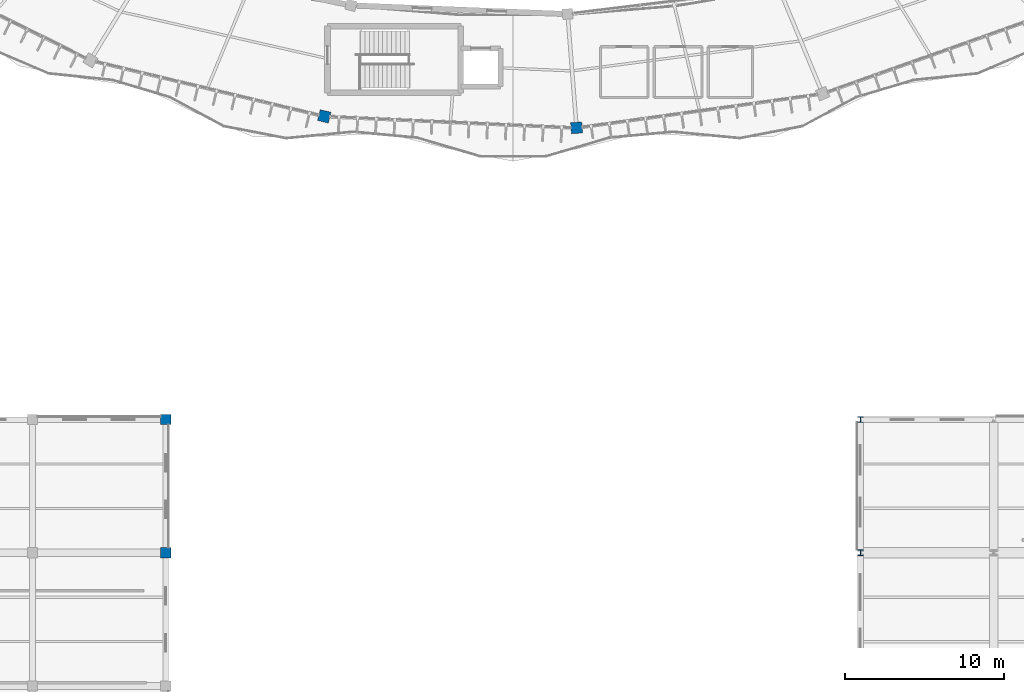
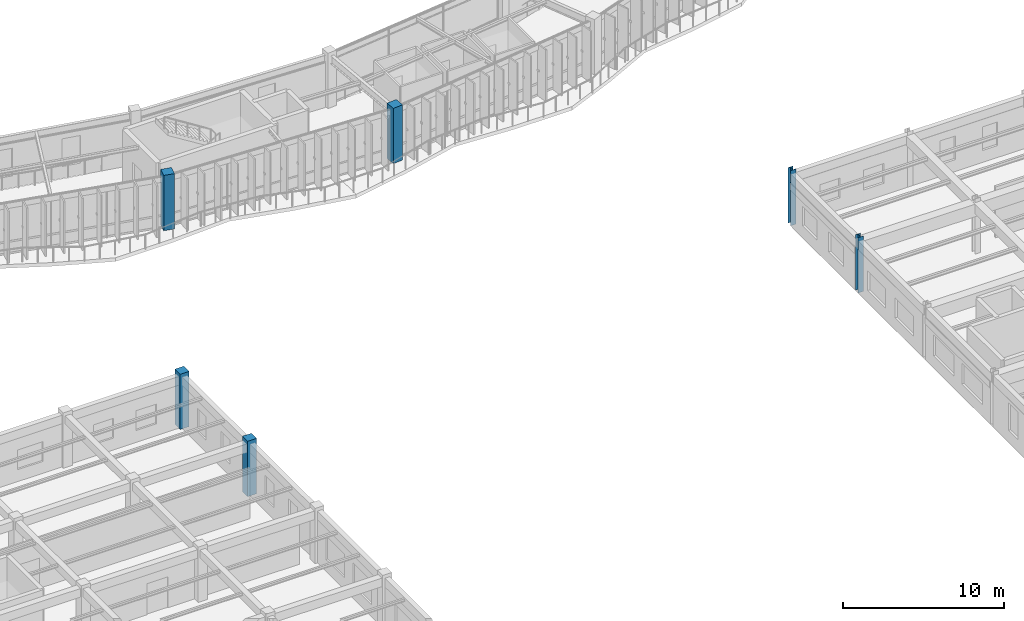
# One storey, part 3 of 138: 6 columns.
"""IFC4 building model written with IfcOpenShell, lengths in metres."""

from ifc_helpers import new_model, si_unit, direction, frame, origin, origin_2d, place, context, subcontext, project, spatial, rectangle, i_section, extrude, material, material_profile, profile_set, type_object, element, save


model = new_model("IFC4")

# Units and contexts
model_context = context("Model", 3, precision=1e-05, world=origin(), true_north=direction((0.0, 1.0)))
body_context = subcontext(model_context, "Body", "Model", "MODEL_VIEW")
ifc_project = project(units=[si_unit("LENGTHUNIT", "METRE"), si_unit("AREAUNIT", "SQUARE_METRE"), si_unit("VOLUMEUNIT", "CUBIC_METRE"), si_unit("PLANEANGLEUNIT", "RADIAN"), si_unit("MASSUNIT", "GRAM", prefix="KILO"), si_unit("THERMODYNAMICTEMPERATUREUNIT", "KELVIN"), si_unit("POWERUNIT", "WATT")], contexts=[model_context])

# Site, building, storey
site_placement = place(None, origin())
site = spatial("IfcSite", under=ifc_project, at=site_placement, CompositionType="ELEMENT")
building_placement = place(site_placement, origin())
building = spatial("IfcBuilding", under=site, at=building_placement, Name="Darbajah Civic Hall", CompositionType="ELEMENT")
storey_placement = place(building_placement, frame((0.0, 0.0, 9.60009765625)))
storey = spatial("IfcBuildingStorey", under=building, at=storey_placement, Name="L02", CompositionType="ELEMENT", Elevation=9.60009765625)

# Columns
ifc_material_1 = material(Name="Concrete C45/55", Category="concrete")
ifc_material_profile_1 = material_profile(ifc_material_1, rectangle(XDim=0.64990234375, YDim=0.64990234375, at=origin_2d()), Name="RC COL 650x650")
ifc_profile_set_1 = profile_set([ifc_material_profile_1], Name="Concrete C45/55")
column_type_1 = type_object("IfcColumnType", Name="RC COL 650x650", PredefinedType="COLUMN", material=ifc_profile_set_1)
for number, where, z_axis, x_axis, name in (
    (1, (67.199951171875, 33.60009765625, 0.0), (0.0, 0.0, 1.0), (1.0, 0.0, 0.0), "L02 column C-RC650"),
    (2, (67.199951171875, 42.0, 0.0), (0.0, 0.0, 1.0), (1.0, 0.0, 0.0), "L02 column C-RC650"),
):
    element("IfcColumn", number, at=place(storey_placement, frame(where, z_axis=z_axis, x_axis=x_axis)), inside=storey, type_object=column_type_1, Name=name, PredefinedType="COLUMN", context=body_context, shape_type="SweptSolid", body=[
        extrude(rectangle(XDim=0.64990234375, YDim=0.64990234375, at=origin_2d()), origin(), (0.0, 0.0, 1.0), 4.199951171875),
    ])
ifc_material_profile_2 = material_profile(ifc_material_1, rectangle(XDim=0.699951171875, YDim=0.699951171875, at=origin_2d()), Name="RC COL 700x700")
ifc_profile_set_2 = profile_set([ifc_material_profile_2], Name="Concrete C45/55")
column_type_2 = type_object("IfcColumnType", Name="RC COL 700x700", PredefinedType="COLUMN", material=ifc_profile_set_2)
for number, where, z_axis, x_axis, name in (
    (3, (77.1943359375, 61.114990234375, 0.0), (0.0, 0.0, 1.0), (-0.233445363856, -0.972369920398, 0.0), "L02 column C-RC700"),
    (4, (93.101318359375, 60.390869140625, 0.0), (0.0, 0.0, 1.0), (0.078459095728, -0.996917333733, 0.0), "L02 column C-RC700"),
):
    element("IfcColumn", number, at=place(storey_placement, frame(where, z_axis=z_axis, x_axis=x_axis)), inside=storey, type_object=column_type_2, Name=name, PredefinedType="COLUMN", context=body_context, shape_type="SweptSolid", body=[
        extrude(rectangle(XDim=0.699951171875, YDim=0.699951171875, at=origin_2d()), origin(), (0.0, 0.0, 1.0), 4.199951171875),
    ])
ifc_material_2 = material(Name="Steel S355JR", Category="steel")
ifc_material_profile_3 = material_profile(ifc_material_2, i_section(OverallWidth=0.37255859375, OverallDepth=0.3681640625, WebThickness=0.014404296875, FlangeThickness=0.023681640625, FilletRadius=0.01513671875, at=origin_2d()), Name="UC 356x368x177")
ifc_profile_set_3 = profile_set([ifc_material_profile_3], Name="Steel S355JR")
column_type_3 = type_object("IfcColumnType", Name="UC 356x368x177", PredefinedType="COLUMN", material=ifc_profile_set_3)
for number, where, z_axis, x_axis, name in (
    (5, (111.0, 33.60009765625, 0.0), (0.0, 0.0, 1.0), (1.0, 0.0, 0.0), "L02 column C-UC356"),
    (6, (111.0, 42.0, 0.0), (0.0, 0.0, 1.0), (1.0, 0.0, 0.0), "L02 column C-UC356"),
):
    element("IfcColumn", number, at=place(storey_placement, frame(where, z_axis=z_axis, x_axis=x_axis)), inside=storey, type_object=column_type_3, Name=name, PredefinedType="COLUMN", context=body_context, shape_type="SweptSolid", body=[
        extrude(i_section(OverallWidth=0.37255859375, OverallDepth=0.3681640625, WebThickness=0.014404296875, FlangeThickness=0.023681640625, FilletRadius=0.01513671875, at=origin_2d()), origin(), (0.0, 0.0, 1.0), 4.199951171875),
    ])

save(model, "model.ifc")
